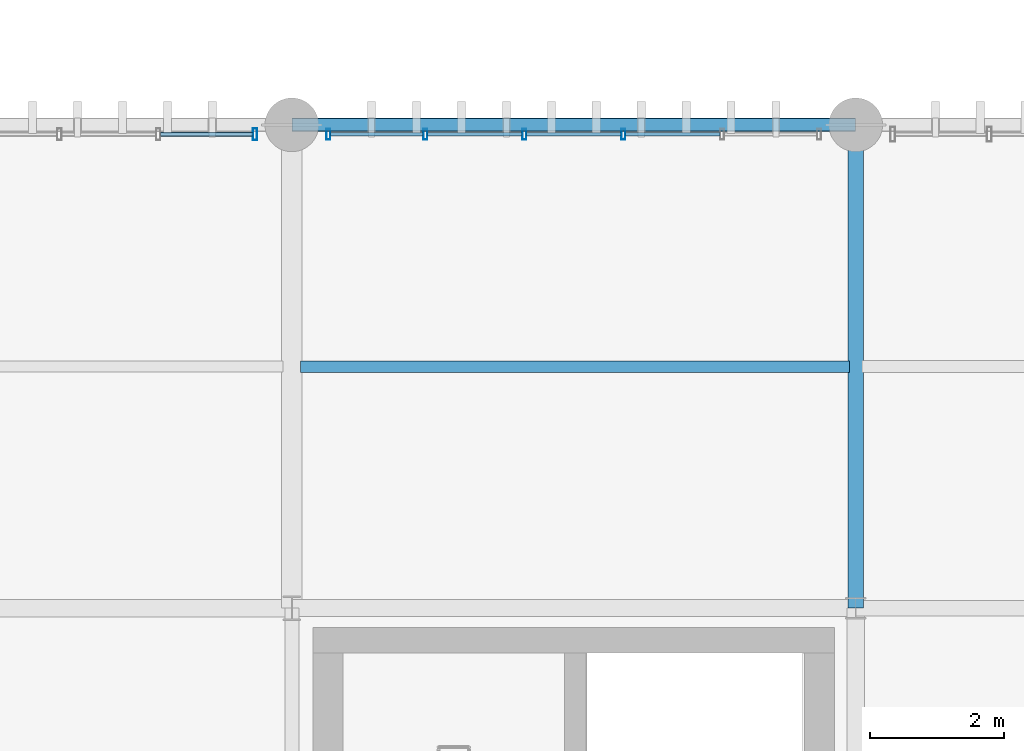
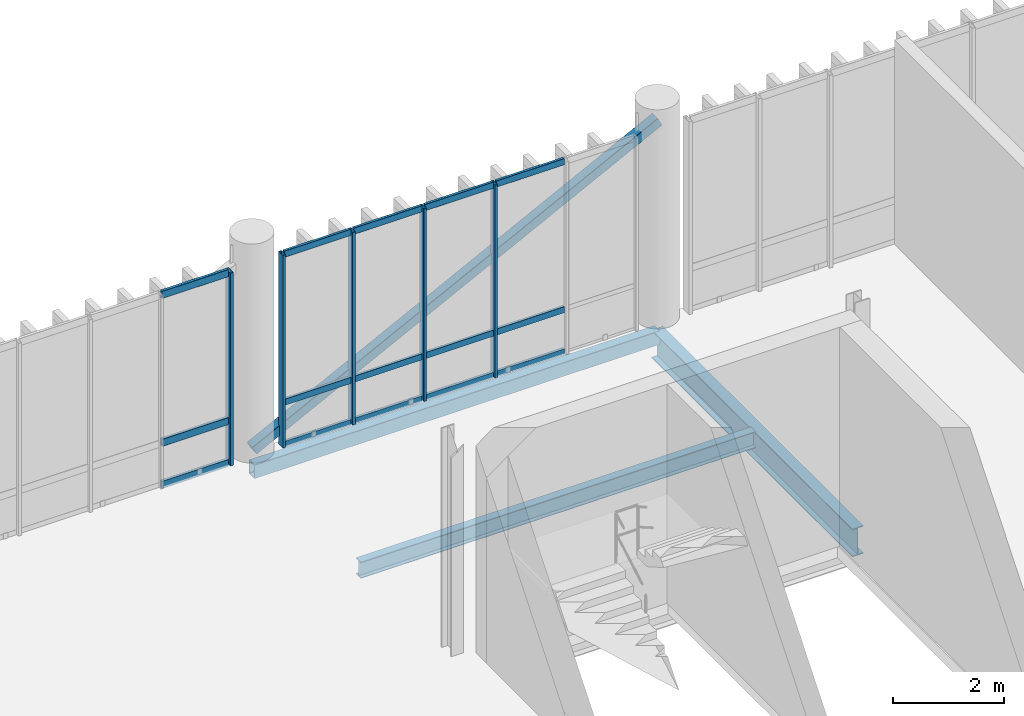
# One storey, part 43 of 94: 21 members, 3 beams, 2 elements without a shape of their own.
"""IFC4 building model written with IfcOpenShell, lengths in metres."""

from ifc_helpers import new_model, si_unit, direction, frame, origin_with_axes, origin_2d_with_axis, place, context, subcontext, project, spatial, hollow_rectangle, i_section, extrude, material, material_profile, profile_set, type_object, element, aggregate, save


model = new_model("IFC4")

# Units and contexts
model_context = context("Model", 3, precision=1e-05, world=origin_with_axes(), true_north=direction((0.0, 1.0)))
body_context = subcontext(model_context, "Body", "Model", "MODEL_VIEW")
ifc_project = project(units=[si_unit("LENGTHUNIT", "METRE"), si_unit("AREAUNIT", "SQUARE_METRE"), si_unit("VOLUMEUNIT", "CUBIC_METRE"), si_unit("PLANEANGLEUNIT", "RADIAN"), si_unit("MASSUNIT", "GRAM", prefix="KILO"), si_unit("THERMODYNAMICTEMPERATUREUNIT", "KELVIN")], contexts=[model_context])

# Site, building, storey
site_placement = place(None, origin_with_axes())
site = spatial("IfcSite", under=ifc_project, at=site_placement, CompositionType="ELEMENT")
building_placement = place(site_placement, origin_with_axes())
building = spatial("IfcBuilding", under=site, at=building_placement, Name="Montbau Bow Law Courts", CompositionType="ELEMENT")
storey_placement = place(building_placement, frame((0.0, 0.0, 15.6), z_axis=(0.0, 0.0, 1.0), x_axis=(1.0, 0.0, 0.0)))
storey = spatial("IfcBuildingStorey", under=building, at=storey_placement, Name="L03", CompositionType="ELEMENT", Elevation=15.6)

# Beams
ifc_material_1 = material(Name="Steel CSA G40.21 Grade 350W (350 MPa)", Category="steel")
ifc_material_profile_1 = material_profile(ifc_material_1, i_section(OverallWidth=0.229, OverallDepth=0.612, WebThickness=0.0119, FlangeThickness=0.0196, at=origin_2d_with_axis()), Name="W610X125", Category="Main", Priority=0)
ifc_profile_set_1 = profile_set([ifc_material_profile_1], Name="Steel CSA G40.21 Grade 350W (350 MPa)")
beam_type_1 = type_object("IfcBeamType", Name="B-FLR-05", PredefinedType="BEAM", material=ifc_profile_set_1)
beam_1_placement = place(None, frame((88.8, 54.6, 15.034), z_axis=(0.0, 1.0, 0.0), x_axis=(-1.0, 0.0, 0.0)))
element("IfcBeam", 1, at=beam_1_placement, inside=storey, type_object=beam_type_1, Name="BM-L03-S0912:bm2_0915", PredefinedType="BEAM", context=body_context, shape_type="SweptSolid", body=[
    extrude(i_section(OverallWidth=0.229, OverallDepth=0.612, WebThickness=0.0119, FlangeThickness=0.0196, at=origin_2d_with_axis()), origin_with_axes(), (0.0, 0.0, 1.0), 7.2),
])
ifc_material_profile_2 = material_profile(ifc_material_1, i_section(OverallWidth=0.172, OverallDepth=0.358, WebThickness=0.0079, FlangeThickness=0.0131, at=origin_2d_with_axis()), Name="W360X57", Category="Main", Priority=0)
ifc_profile_set_2 = profile_set([ifc_material_profile_2], Name="Steel CSA G40.21 Grade 350W (350 MPa)")
beam_type_2 = type_object("IfcBeamType", Name="B-JST-03", PredefinedType="JOIST", material=ifc_profile_set_2)
beam_2_placement = place(None, frame((80.529, 58.2, 15.161), z_axis=(1.0, 0.0, 0.0), x_axis=(0.0, 1.0, 0.0)))
element("IfcBeam", 2, at=beam_2_placement, inside=storey, type_object=beam_type_2, Name="JST-L03-S0470:jst2_0470", PredefinedType="JOIST", context=body_context, shape_type="SweptSolid", body=[
    extrude(i_section(OverallWidth=0.172, OverallDepth=0.358, WebThickness=0.0079, FlangeThickness=0.0131, at=origin_2d_with_axis()), origin_with_axes(), (0.0, 0.0, 1.0), 8.18),
])
ifc_material_2 = material(Name="Steel CSA G40.21 Grade 350WT (350 MPa)", Category="steel")
ifc_material_profile_3 = material_profile(ifc_material_2, hollow_rectangle(XDim=0.203, YDim=0.305, WallThickness=0.0127, InnerFilletRadius=0.0254, OuterFilletRadius=0.0127, at=origin_2d_with_axis()), Name="HSS305X203X13", Category="Main", Priority=0)
ifc_profile_set_3 = profile_set([ifc_material_profile_3], Name="Steel CSA G40.21 Grade 350WT (350 MPa)")
beam_type_3 = type_object("IfcBeamType", Name="B-SPN-02", PredefinedType="SPANDREL", material=ifc_profile_set_3)
beam_3_placement = place(None, frame((80.4, 61.8, 15.188), z_axis=(1.0, 0.0, 0.0), x_axis=(0.0, 1.0, 0.0)))
element("IfcBeam", 3, at=beam_3_placement, inside=storey, type_object=beam_type_3, Name="SPN-L03-S0896:bm2_0899", PredefinedType="SPANDREL", context=body_context, shape_type="SweptSolid", body=[
    extrude(hollow_rectangle(XDim=0.203, YDim=0.305, WallThickness=0.0127, InnerFilletRadius=0.0254, OuterFilletRadius=0.0127, at=origin_2d_with_axis()), origin_with_axes(), (0.0, 0.0, 1.0), 8.4),
])

# Member
ifc_material_profile_4 = material_profile(ifc_material_1, hollow_rectangle(XDim=0.203, YDim=0.203, WallThickness=0.0111, InnerFilletRadius=0.0222, OuterFilletRadius=0.0111, at=origin_2d_with_axis()), Name="HSS203X203X11", Category="Main", Priority=0)
ifc_profile_set_4 = profile_set([ifc_material_profile_4], Name="Steel CSA G40.21 Grade 350W (350 MPa)")
member_type_1 = type_object("IfcMemberType", Name="M-BRC-02", PredefinedType="BRACE", material=ifc_profile_set_4)
member_1_placement = place(None, frame((80.4, 61.8, 15.65), z_axis=(0.891564583, 0.0, 0.45289358), x_axis=(0.0, 1.0, 0.0)))
element("IfcMember", 4, at=member_1_placement, inside=storey, type_object=member_type_1, Name="Diagonal brace CBF-L03-047A", PredefinedType="BRACE", context=body_context, shape_type="SweptSolid", body=[
    extrude(hollow_rectangle(XDim=0.203, YDim=0.203, WallThickness=0.0111, InnerFilletRadius=0.0222, OuterFilletRadius=0.0111, at=origin_2d_with_axis()), origin_with_axes(), (0.0, 0.0, 1.0), 9.421639),
])

# Curtain wall, member
ifc_material_3 = material(Name="Thermally Broken Extruded Aluminium AA 6063-T6", Category="aluminium")
curtain_wall_type = type_object("IfcCurtainWallType", Name="CW-CRM-01", PredefinedType="NOTDEFINED", material=ifc_material_3)
curtain_wall_1_placement = place(None, frame((72.515, 61.66, 15.6), z_axis=(0.0, 0.0, 1.0), x_axis=(1.0, 0.0, 0.0)))
curtain_wall_1 = element("IfcCurtainWall", 5, at=curtain_wall_1_placement, inside=storey, type_object=curtain_wall_type, Name="CW-L03-184:cw_0184", PredefinedType="NOTDEFINED")
ifc_material_profile_5 = material_profile(ifc_material_3, hollow_rectangle(XDim=0.065, YDim=0.18, WallThickness=0.005, InnerFilletRadius=0.01, OuterFilletRadius=0.005, at=origin_2d_with_axis()), Name="CWM-180X65", Category="Main", Priority=0)
ifc_profile_set_5 = profile_set([ifc_material_profile_5], Name="Thermally Broken Extruded Aluminium AA 6063-T6")
member_type_2 = type_object("IfcMemberType", Name="M-MUL-02", PredefinedType="MULLION", material=ifc_profile_set_5)
member_2_placement = place(None, frame((79.853, 61.66, 15.6), z_axis=(0.0, 0.0, 1.0), x_axis=(1.0, 0.0, 0.0)))
member_2 = element("IfcMember", 6, at=member_2_placement, type_object=member_type_2, Name="CW-L03-184-M06:cw_0184_M06", PredefinedType="MULLION", context=body_context, shape_type="SweptSolid", body=[
    extrude(hollow_rectangle(XDim=0.065, YDim=0.18, WallThickness=0.005, InnerFilletRadius=0.01, OuterFilletRadius=0.005, at=origin_2d_with_axis()), origin_with_axes(), (0.0, 0.0, 1.0), 4.22),
])

# Curtain wall, members
curtain_wall_2_placement = place(None, frame((80.915, 61.66, 15.6), z_axis=(0.0, 0.0, 1.0), x_axis=(1.0, 0.0, 0.0)))
curtain_wall_2 = element("IfcCurtainWall", 7, at=curtain_wall_2_placement, inside=storey, type_object=curtain_wall_type, Name="CW-L03-185:cw_0185", PredefinedType="NOTDEFINED")
ifc_material_profile_6 = material_profile(ifc_material_3, hollow_rectangle(XDim=0.06, YDim=0.16, WallThickness=0.004, InnerFilletRadius=0.008, OuterFilletRadius=0.004, at=origin_2d_with_axis()), Name="CWM-160X60", Category="Main", Priority=0)
ifc_profile_set_6 = profile_set([ifc_material_profile_6], Name="Thermally Broken Extruded Aluminium AA 6063-T6")
member_type_3 = type_object("IfcMemberType", Name="M-MUL-03", PredefinedType="MULLION", material=ifc_profile_set_6)
member_3_placement = place(None, frame((80.945, 61.66, 15.6), z_axis=(0.0, 0.0, 1.0), x_axis=(1.0, 0.0, 0.0)))
member_3 = element("IfcMember", 8, at=member_3_placement, type_object=member_type_3, Name="CW-L03-185-M01:cw_0185_M01", PredefinedType="MULLION", context=body_context, shape_type="SweptSolid", body=[
    extrude(hollow_rectangle(XDim=0.06, YDim=0.16, WallThickness=0.004, InnerFilletRadius=0.008, OuterFilletRadius=0.004, at=origin_2d_with_axis()), origin_with_axes(), (0.0, 0.0, 1.0), 4.22),
])
member_4_placement = place(None, frame((82.389, 61.66, 15.6), z_axis=(0.0, 0.0, 1.0), x_axis=(1.0, 0.0, 0.0)))
member_4 = element("IfcMember", 9, at=member_4_placement, type_object=member_type_3, Name="CW-L03-185-M02:cw_0185_M02", PredefinedType="MULLION", context=body_context, shape_type="SweptSolid", body=[
    extrude(hollow_rectangle(XDim=0.06, YDim=0.16, WallThickness=0.004, InnerFilletRadius=0.008, OuterFilletRadius=0.004, at=origin_2d_with_axis()), origin_with_axes(), (0.0, 0.0, 1.0), 4.22),
])
member_5_placement = place(None, frame((83.863, 61.66, 15.6), z_axis=(0.0, 0.0, 1.0), x_axis=(1.0, 0.0, 0.0)))
member_5 = element("IfcMember", 10, at=member_5_placement, type_object=member_type_3, Name="CW-L03-185-M03:cw_0185_M03", PredefinedType="MULLION", context=body_context, shape_type="SweptSolid", body=[
    extrude(hollow_rectangle(XDim=0.06, YDim=0.16, WallThickness=0.004, InnerFilletRadius=0.008, OuterFilletRadius=0.004, at=origin_2d_with_axis()), origin_with_axes(), (0.0, 0.0, 1.0), 4.22),
])
member_6_placement = place(None, frame((85.337, 61.66, 15.6), z_axis=(0.0, 0.0, 1.0), x_axis=(1.0, 0.0, 0.0)))
member_6 = element("IfcMember", 11, at=member_6_placement, type_object=member_type_3, Name="CW-L03-185-M04:cw_0185_M04", PredefinedType="MULLION", context=body_context, shape_type="SweptSolid", body=[
    extrude(hollow_rectangle(XDim=0.06, YDim=0.16, WallThickness=0.004, InnerFilletRadius=0.008, OuterFilletRadius=0.004, at=origin_2d_with_axis()), origin_with_axes(), (0.0, 0.0, 1.0), 4.22),
])

# Member
ifc_material_profile_7 = material_profile(ifc_material_3, hollow_rectangle(XDim=0.06, YDim=0.16, WallThickness=0.004, InnerFilletRadius=0.008, OuterFilletRadius=0.004, at=origin_2d_with_axis()), Name="CWT-160X60", Category="Main", Priority=0)
ifc_profile_set_7 = profile_set([ifc_material_profile_7], Name="Thermally Broken Extruded Aluminium AA 6063-T6")
member_type_4 = type_object("IfcMemberType", Name="M-TRN-01", PredefinedType="USERDEFINED", material=ifc_profile_set_7)
member_7_placement = place(None, frame((78.445, 61.66, 15.63), z_axis=(1.0, 0.0, 0.0), x_axis=(0.0, 1.0, 0.0)))
member_7 = element("IfcMember", 12, at=member_7_placement, type_object=member_type_4, Name="CW-L03-184-T05-1:cw_0184_T05_1", ObjectType="TRANSOM", PredefinedType="USERDEFINED", context=body_context, shape_type="SweptSolid", body=[
    extrude(hollow_rectangle(XDim=0.06, YDim=0.16, WallThickness=0.004, InnerFilletRadius=0.008, OuterFilletRadius=0.004, at=origin_2d_with_axis()), origin_with_axes(), (0.0, 0.0, 1.0), 1.374),
])

member_8_placement = place(None, frame((78.445, 61.66, 16.55), z_axis=(1.0, 0.0, 0.0), x_axis=(0.0, 1.0, 0.0)))
member_8 = element("IfcMember", 13, at=member_8_placement, type_object=member_type_4, Name="CW-L03-184-T05-2:cw_0184_T05_2", ObjectType="TRANSOM", PredefinedType="USERDEFINED", context=body_context, shape_type="SweptSolid", body=[
    extrude(hollow_rectangle(XDim=0.06, YDim=0.16, WallThickness=0.004, InnerFilletRadius=0.008, OuterFilletRadius=0.004, at=origin_2d_with_axis()), origin_with_axes(), (0.0, 0.0, 1.0), 1.374),
])

member_9_placement = place(None, frame((78.445, 61.66, 19.79), z_axis=(1.0, 0.0, 0.0), x_axis=(0.0, 1.0, 0.0)))
member_9 = element("IfcMember", 14, at=member_9_placement, type_object=member_type_4, Name="CW-L03-184-T05-3:cw_0184_T05_3", ObjectType="TRANSOM", PredefinedType="USERDEFINED", context=body_context, shape_type="SweptSolid", body=[
    extrude(hollow_rectangle(XDim=0.06, YDim=0.16, WallThickness=0.004, InnerFilletRadius=0.008, OuterFilletRadius=0.004, at=origin_2d_with_axis()), origin_with_axes(), (0.0, 0.0, 1.0), 1.374),
])

aggregate(curtain_wall_1, [member_2, member_7, member_8, member_9])

ifc_material_profile_8 = material_profile(ifc_material_3, hollow_rectangle(XDim=0.055, YDim=0.14, WallThickness=0.004, InnerFilletRadius=0.008, OuterFilletRadius=0.004, at=origin_2d_with_axis()), Name="CWT-140X55", Category="Main", Priority=0)
ifc_profile_set_8 = profile_set([ifc_material_profile_8], Name="Thermally Broken Extruded Aluminium AA 6063-T6")
member_type_5 = type_object("IfcMemberType", Name="M-TRN-02", PredefinedType="USERDEFINED", material=ifc_profile_set_8)
member_10_placement = place(None, frame((80.977, 61.66, 15.627), z_axis=(1.0, 0.0, 0.0), x_axis=(0.0, 1.0, 0.0)))
member_10 = element("IfcMember", 15, at=member_10_placement, type_object=member_type_5, Name="CW-L03-185-T01-1:cw_0185_T01_1", ObjectType="TRANSOM", PredefinedType="USERDEFINED", context=body_context, shape_type="SweptSolid", body=[
    extrude(hollow_rectangle(XDim=0.055, YDim=0.14, WallThickness=0.004, InnerFilletRadius=0.008, OuterFilletRadius=0.004, at=origin_2d_with_axis()), origin_with_axes(), (0.0, 0.0, 1.0), 1.38),
])

member_11_placement = place(None, frame((80.977, 61.66, 16.55), z_axis=(1.0, 0.0, 0.0), x_axis=(0.0, 1.0, 0.0)))
member_11 = element("IfcMember", 16, at=member_11_placement, type_object=member_type_5, Name="CW-L03-185-T01-2:cw_0185_T01_2", ObjectType="TRANSOM", PredefinedType="USERDEFINED", context=body_context, shape_type="SweptSolid", body=[
    extrude(hollow_rectangle(XDim=0.055, YDim=0.14, WallThickness=0.004, InnerFilletRadius=0.008, OuterFilletRadius=0.004, at=origin_2d_with_axis()), origin_with_axes(), (0.0, 0.0, 1.0), 1.38),
])

member_12_placement = place(None, frame((80.977, 61.66, 19.793), z_axis=(1.0, 0.0, 0.0), x_axis=(0.0, 1.0, 0.0)))
member_12 = element("IfcMember", 17, at=member_12_placement, type_object=member_type_5, Name="CW-L03-185-T01-3:cw_0185_T01_3", ObjectType="TRANSOM", PredefinedType="USERDEFINED", context=body_context, shape_type="SweptSolid", body=[
    extrude(hollow_rectangle(XDim=0.055, YDim=0.14, WallThickness=0.004, InnerFilletRadius=0.008, OuterFilletRadius=0.004, at=origin_2d_with_axis()), origin_with_axes(), (0.0, 0.0, 1.0), 1.38),
])

member_13_placement = place(None, frame((82.421, 61.66, 15.627), z_axis=(1.0, 0.0, 0.0), x_axis=(0.0, 1.0, 0.0)))
member_13 = element("IfcMember", 18, at=member_13_placement, type_object=member_type_5, Name="CW-L03-185-T02-1:cw_0185_T02_1", ObjectType="TRANSOM", PredefinedType="USERDEFINED", context=body_context, shape_type="SweptSolid", body=[
    extrude(hollow_rectangle(XDim=0.055, YDim=0.14, WallThickness=0.004, InnerFilletRadius=0.008, OuterFilletRadius=0.004, at=origin_2d_with_axis()), origin_with_axes(), (0.0, 0.0, 1.0), 1.41),
])

member_14_placement = place(None, frame((82.421, 61.66, 16.55), z_axis=(1.0, 0.0, 0.0), x_axis=(0.0, 1.0, 0.0)))
member_14 = element("IfcMember", 19, at=member_14_placement, type_object=member_type_5, Name="CW-L03-185-T02-2:cw_0185_T02_2", ObjectType="TRANSOM", PredefinedType="USERDEFINED", context=body_context, shape_type="SweptSolid", body=[
    extrude(hollow_rectangle(XDim=0.055, YDim=0.14, WallThickness=0.004, InnerFilletRadius=0.008, OuterFilletRadius=0.004, at=origin_2d_with_axis()), origin_with_axes(), (0.0, 0.0, 1.0), 1.41),
])

member_15_placement = place(None, frame((82.421, 61.66, 19.793), z_axis=(1.0, 0.0, 0.0), x_axis=(0.0, 1.0, 0.0)))
member_15 = element("IfcMember", 20, at=member_15_placement, type_object=member_type_5, Name="CW-L03-185-T02-3:cw_0185_T02_3", ObjectType="TRANSOM", PredefinedType="USERDEFINED", context=body_context, shape_type="SweptSolid", body=[
    extrude(hollow_rectangle(XDim=0.055, YDim=0.14, WallThickness=0.004, InnerFilletRadius=0.008, OuterFilletRadius=0.004, at=origin_2d_with_axis()), origin_with_axes(), (0.0, 0.0, 1.0), 1.41),
])

member_16_placement = place(None, frame((83.895, 61.66, 15.627), z_axis=(1.0, 0.0, 0.0), x_axis=(0.0, 1.0, 0.0)))
member_16 = element("IfcMember", 21, at=member_16_placement, type_object=member_type_5, Name="CW-L03-185-T03-1:cw_0185_T03_1", ObjectType="TRANSOM", PredefinedType="USERDEFINED", context=body_context, shape_type="SweptSolid", body=[
    extrude(hollow_rectangle(XDim=0.055, YDim=0.14, WallThickness=0.004, InnerFilletRadius=0.008, OuterFilletRadius=0.004, at=origin_2d_with_axis()), origin_with_axes(), (0.0, 0.0, 1.0), 1.41),
])

member_17_placement = place(None, frame((83.895, 61.66, 16.55), z_axis=(1.0, 0.0, 0.0), x_axis=(0.0, 1.0, 0.0)))
member_17 = element("IfcMember", 22, at=member_17_placement, type_object=member_type_5, Name="CW-L03-185-T03-2:cw_0185_T03_2", ObjectType="TRANSOM", PredefinedType="USERDEFINED", context=body_context, shape_type="SweptSolid", body=[
    extrude(hollow_rectangle(XDim=0.055, YDim=0.14, WallThickness=0.004, InnerFilletRadius=0.008, OuterFilletRadius=0.004, at=origin_2d_with_axis()), origin_with_axes(), (0.0, 0.0, 1.0), 1.41),
])

member_18_placement = place(None, frame((83.895, 61.66, 19.793), z_axis=(1.0, 0.0, 0.0), x_axis=(0.0, 1.0, 0.0)))
member_18 = element("IfcMember", 23, at=member_18_placement, type_object=member_type_5, Name="CW-L03-185-T03-3:cw_0185_T03_3", ObjectType="TRANSOM", PredefinedType="USERDEFINED", context=body_context, shape_type="SweptSolid", body=[
    extrude(hollow_rectangle(XDim=0.055, YDim=0.14, WallThickness=0.004, InnerFilletRadius=0.008, OuterFilletRadius=0.004, at=origin_2d_with_axis()), origin_with_axes(), (0.0, 0.0, 1.0), 1.41),
])

member_19_placement = place(None, frame((85.369, 61.66, 15.627), z_axis=(1.0, 0.0, 0.0), x_axis=(0.0, 1.0, 0.0)))
member_19 = element("IfcMember", 24, at=member_19_placement, type_object=member_type_5, Name="CW-L03-185-T04-1:cw_0185_T04_1", ObjectType="TRANSOM", PredefinedType="USERDEFINED", context=body_context, shape_type="SweptSolid", body=[
    extrude(hollow_rectangle(XDim=0.055, YDim=0.14, WallThickness=0.004, InnerFilletRadius=0.008, OuterFilletRadius=0.004, at=origin_2d_with_axis()), origin_with_axes(), (0.0, 0.0, 1.0), 1.41),
])

member_20_placement = place(None, frame((85.369, 61.66, 16.55), z_axis=(1.0, 0.0, 0.0), x_axis=(0.0, 1.0, 0.0)))
member_20 = element("IfcMember", 25, at=member_20_placement, type_object=member_type_5, Name="CW-L03-185-T04-2:cw_0185_T04_2", ObjectType="TRANSOM", PredefinedType="USERDEFINED", context=body_context, shape_type="SweptSolid", body=[
    extrude(hollow_rectangle(XDim=0.055, YDim=0.14, WallThickness=0.004, InnerFilletRadius=0.008, OuterFilletRadius=0.004, at=origin_2d_with_axis()), origin_with_axes(), (0.0, 0.0, 1.0), 1.41),
])

member_21_placement = place(None, frame((85.369, 61.66, 19.793), z_axis=(1.0, 0.0, 0.0), x_axis=(0.0, 1.0, 0.0)))
member_21 = element("IfcMember", 26, at=member_21_placement, type_object=member_type_5, Name="CW-L03-185-T04-3:cw_0185_T04_3", ObjectType="TRANSOM", PredefinedType="USERDEFINED", context=body_context, shape_type="SweptSolid", body=[
    extrude(hollow_rectangle(XDim=0.055, YDim=0.14, WallThickness=0.004, InnerFilletRadius=0.008, OuterFilletRadius=0.004, at=origin_2d_with_axis()), origin_with_axes(), (0.0, 0.0, 1.0), 1.41),
])

aggregate(curtain_wall_2, [member_3, member_4, member_5, member_6, member_10, member_11, member_12, member_13, member_14, member_15, member_16, member_17, member_18, member_19, member_20, member_21])

save(model, "model.ifc")
